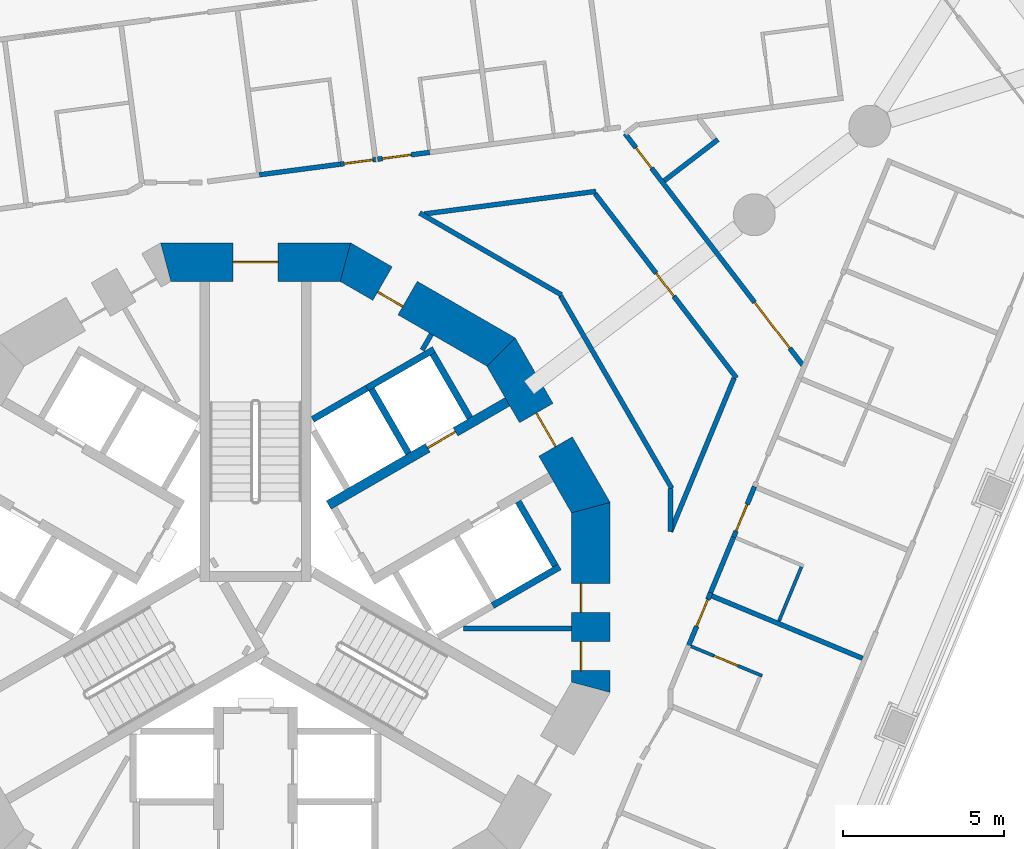
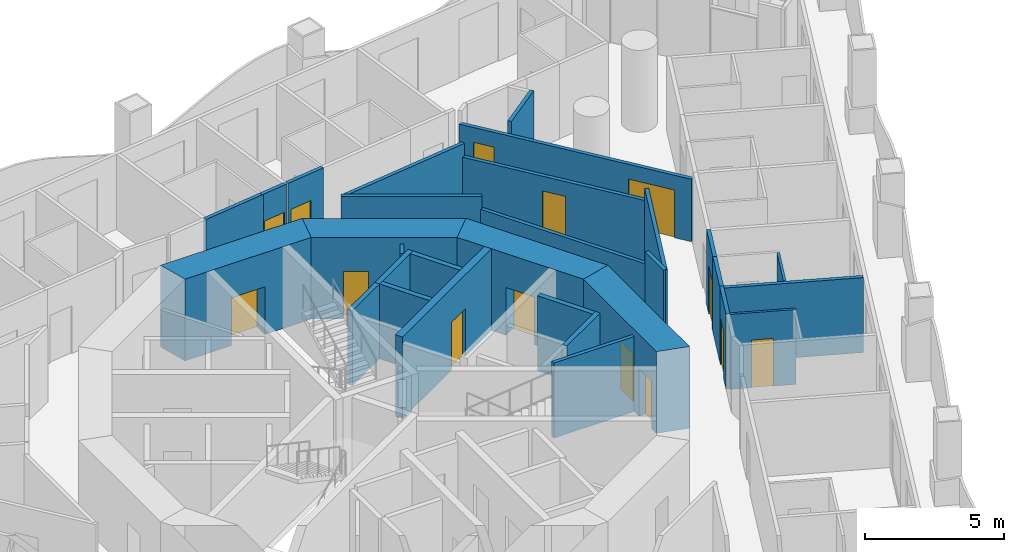
# One storey, part 9 of 19: 30 walls, 14 doors, 14 openings.
"""IFC4 building model written with IfcOpenShell, lengths in metres."""

from ifc_helpers import new_model, si_unit, direction, frame, frame_2d, origin, place, context, subcontext, project, spatial, polyline, rectangle, outline, extrude, material, layer, layer_set, type_object, element, fill, save


model = new_model("IFC4")

# Units and contexts
model_context = context("Model", 3, precision=1e-05, world=origin(), true_north=direction((0.0, 1.0)))
body_context = subcontext(model_context, "Body", "Model", "MODEL_VIEW")
ifc_project = project(units=[si_unit("LENGTHUNIT", "METRE"), si_unit("AREAUNIT", "SQUARE_METRE"), si_unit("VOLUMEUNIT", "CUBIC_METRE"), si_unit("PLANEANGLEUNIT", "RADIAN"), si_unit("MASSUNIT", "GRAM", prefix="KILO")], contexts=[model_context])

# Site, building, storey
site_placement = place(None, origin())
site = spatial("IfcSite", under=ifc_project, at=site_placement, CompositionType="ELEMENT")
building_placement = place(site_placement, origin())
building = spatial("IfcBuilding", under=site, at=building_placement, Name="Trine Commons Tower", CompositionType="ELEMENT")
storey_placement = place(building_placement, frame((0.0, 0.0, 54.0)))
storey = spatial("IfcBuildingStorey", under=building, at=storey_placement, Name="L12", CompositionType="ELEMENT", Elevation=54.0)

# Walls
ifc_material_1 = material(Name="Plasterboard partition on steel studs", Category="steel")
ifc_layer_1 = layer(ifc_material_1, 0.14990234375)
ifc_layer_set_1 = layer_set([ifc_layer_1], Name="Plasterboard partition on steel studs")
wall_type_1 = type_object("IfcWallType", Name="Core room partition 150 mm, EI 60", PredefinedType="PARTITIONING", material=ifc_layer_set_1)
wall_1_placement = place(storey_placement, frame((85.4609375, 70.676025390625, 0.0), z_axis=(0.0, 0.0, 1.0), x_axis=(-0.500042804318, -0.866000689289, 0.0)))
element("IfcWall", 1, at=wall_1_placement, inside=storey, type_object=wall_type_1, Name="Core room partition L12", PredefinedType="PARTITIONING", context=body_context, shape_type="SweptSolid", body=[
    extrude(rectangle(XDim=0.57177734375, YDim=0.14990234375, at=frame_2d((0.285888671875, 0.0))), origin(), (0.0, 0.0, 1.0), 3.300048828125),
])
wall_2_placement = place(storey_placement, frame((89.81201171875, 61.537109375, 0.0), z_axis=(0.0, 0.0, 1.0), x_axis=(-1.0, 0.0, 0.0)))
element("IfcWall", 2, at=wall_2_placement, inside=storey, type_object=wall_type_1, Name="Core room partition L12", PredefinedType="PARTITIONING", context=body_context, shape_type="SweptSolid", body=[
    extrude(rectangle(XDim=3.35107421875, YDim=0.14990234375, at=frame_2d((1.675537109375, 0.0))), origin(), (0.0, 0.0, 1.0), 3.300048828125),
])

# Wall, openings, doors
ifc_material_2 = material(Name="Concrete C80/95", Category="concrete")
ifc_layer_2 = layer(ifc_material_2, 1.199951171875)
ifc_layer_set_2 = layer_set([ifc_layer_2], Name="Concrete C80/95")
wall_type_2 = type_object("IfcWallType", Name="RC shear wall 1200 mm, C80/95", PredefinedType="SHEAR", material=ifc_layer_set_2)
wall_3_placement = place(storey_placement, frame((90.41162109375, 59.549560546875, 0.0), z_axis=(0.0, 0.0, 1.0), x_axis=(0.0, 1.0, 0.0)))
wall_3 = element("IfcWall", 3, at=wall_3_placement, inside=storey, type_object=wall_type_2, Name="Core wall CWB-01 L12", PredefinedType="SHEAR", context=body_context, shape_type="SweptSolid", body=[
    extrude(outline(polyline([(0.0, -0.60009765625), (5.90087890625, -0.60009765625), (5.57958984375, 0.60009765625), (0.321533203125, 0.60009765625), (0.0, -0.60009765625)])), origin(), (0.0, 0.0, 1.0), 3.60009765625),
])
opening_1_placement = place(wall_3_placement, frame((0.675537109375, 0.0, 0.0)))
opening_1 = element("IfcOpeningElement", 4, at=opening_1_placement, cuts=wall_3, Name="Opening K07.18", PredefinedType="OPENING", context=body_context, shape_type="SweptSolid", body=[
    extrude(rectangle(XDim=0.89990234375, YDim=2.10009765625, at=frame_2d((0.449951171875, 1.050048828125))), frame((0.0, 0.60986328125, 0.0), z_axis=(0.0, -1.0, 0.0), x_axis=(1.0, 0.0, 0.0)), (0.0, 0.0, 1.0), 1.219970703125),
])
opening_2_placement = place(wall_3_placement, frame((2.487548828125, 0.0, 0.0)))
opening_2 = element("IfcOpeningElement", 5, at=opening_2_placement, cuts=wall_3, Name="Opening K07.19", PredefinedType="OPENING", context=body_context, shape_type="SweptSolid", body=[
    extrude(rectangle(XDim=0.89990234375, YDim=2.10009765625, at=frame_2d((0.449951171875, 1.050048828125))), frame((0.0, 0.60986328125, 0.0), z_axis=(0.0, -1.0, 0.0), x_axis=(1.0, 0.0, 0.0)), (0.0, 0.0, 1.0), 1.219970703125),
])
ifc_material_3 = material(Name="Steel door leaf, fire-rated", Category="steel")
door_type_1 = type_object("IfcDoorType", Name="Core room door, single leaf 900 x 2100, FD30S", OperationType="SINGLE_SWING_LEFT", PredefinedType="DOOR", material=ifc_material_3)
door_1_placement = place(opening_1_placement, origin())
door_1 = element("IfcDoor", 6, at=door_1_placement, inside=storey, type_object=door_type_1, Name="Door to Parcel store L12", OperationType="SINGLE_SWING_LEFT", OverallHeight=2.10009765625, OverallWidth=0.89990234375, PredefinedType="DOOR", context=body_context, shape_type="SweptSolid", body=[
    extrude(rectangle(XDim=0.89990234375, YDim=2.10009765625, at=frame_2d((0.449951171875, 1.050048828125))), frame((0.0, 0.3251953125, 0.0), z_axis=(0.0, -1.0, 0.0), x_axis=(1.0, 0.0, 0.0)), (0.0, 0.0, 1.0), 0.050048828125),
])
fill(opening_1, door_1)
door_2_placement = place(opening_2_placement, origin())
door_2 = element("IfcDoor", 7, at=door_2_placement, inside=storey, type_object=door_type_1, Name="Door to Print room L12", OperationType="SINGLE_SWING_LEFT", OverallHeight=2.10009765625, OverallWidth=0.89990234375, PredefinedType="DOOR", context=body_context, shape_type="SweptSolid", body=[
    extrude(rectangle(XDim=0.89990234375, YDim=2.10009765625, at=frame_2d((0.449951171875, 1.050048828125))), frame((0.0, 0.3251953125, 0.0), z_axis=(0.0, -1.0, 0.0), x_axis=(1.0, 0.0, 0.0)), (0.0, 0.0, 1.0), 0.050048828125),
])
fill(opening_2, door_2)

# Wall, opening, door
wall_4_placement = place(storey_placement, frame((90.491943359375, 65.150390625, 0.0), z_axis=(0.0, 0.0, 1.0), x_axis=(-0.499979111662, 0.866037463336, 0.0)))
wall_4 = element("IfcWall", 8, at=wall_4_placement, inside=storey, type_object=wall_type_2, Name="Core wall CWB-02 L12", PredefinedType="SHEAR", context=body_context, shape_type="SweptSolid", body=[
    extrude(outline(polyline([(0.0, -0.60009765625), (5.901123046875, -0.60009765625), (5.57958984375, 0.60009765625), (0.321533203125, 0.60009765625), (0.0, -0.60009765625)])), origin(), (0.0, 0.0, 1.0), 3.60009765625),
])
opening_3_placement = place(wall_4_placement, frame((2.3505859375, 0.0, 0.0)))
opening_3 = element("IfcOpeningElement", 9, at=opening_3_placement, cuts=wall_4, Name="Opening K07.04", PredefinedType="OPENING", context=body_context, shape_type="SweptSolid", body=[
    extrude(rectangle(XDim=1.199951171875, YDim=2.10009765625, at=frame_2d((0.60009765625, 1.050048828125))), frame((0.0, 0.60986328125, 0.0), z_axis=(0.0, -1.0, 0.0), x_axis=(1.0, 0.0, 0.0)), (0.0, 0.0, 1.0), 1.219970703125),
])
ifc_material_4 = material(Name="Steel door leaves, fire-rated", Category="steel")
door_type_2 = type_object("IfcDoorType", Name="Lobby door, double leaf 1200 x 2100, FD60", OperationType="DOUBLE_DOOR_SINGLE_SWING", PredefinedType="DOOR", material=ifc_material_4)
door_3_placement = place(opening_3_placement, origin())
door_3 = element("IfcDoor", 10, at=door_3_placement, inside=storey, type_object=door_type_2, Name="Lobby door, Passenger lift lobby A L12", OperationType="DOUBLE_DOOR_SINGLE_SWING", OverallHeight=2.10009765625, OverallWidth=1.199951171875, PredefinedType="DOOR", context=body_context, shape_type="SweptSolid", body=[
    extrude(rectangle(XDim=1.199951171875, YDim=2.10009765625, at=frame_2d((0.60009765625, 1.050048828125))), frame((0.0, 0.02490234375, 0.0), z_axis=(0.0, -1.0, 0.0), x_axis=(1.0, 0.0, 0.0)), (0.0, 0.0, 1.0), 0.050048828125),
])
fill(opening_3, door_3)

wall_5_placement = place(storey_placement, frame((87.760986328125, 70.04150390625, 0.0), z_axis=(0.0, 0.0, 1.0), x_axis=(-0.866037463336, 0.499979111662, 0.0)))
wall_5 = element("IfcWall", 11, at=wall_5_placement, inside=storey, type_object=wall_type_2, Name="Core wall CWB-03 L12", PredefinedType="SHEAR", context=body_context, shape_type="SweptSolid", body=[
    extrude(outline(polyline([(0.0, -0.60009765625), (5.901123046875, -0.60009765625), (5.57958984375, 0.60009765625), (0.321533203125, 0.60009765625), (0.0, -0.60009765625)])), origin(), (0.0, 0.0, 1.0), 3.60009765625),
])
opening_4_placement = place(wall_5_placement, frame((3.509521484375, 0.0, 0.0)))
opening_4 = element("IfcOpeningElement", 12, at=opening_4_placement, cuts=wall_5, Name="Opening K07.11", PredefinedType="OPENING", context=body_context, shape_type="SweptSolid", body=[
    extrude(rectangle(XDim=0.89990234375, YDim=2.10009765625, at=frame_2d((0.449951171875, 1.050048828125))), frame((0.0, 0.60986328125, 0.0), z_axis=(0.0, -1.0, 0.0), x_axis=(1.0, 0.0, 0.0)), (0.0, 0.0, 1.0), 1.219970703125),
])
door_4_placement = place(opening_4_placement, origin())
door_4 = element("IfcDoor", 13, at=door_4_placement, inside=storey, type_object=door_type_1, Name="Door to Accessible WC L12", OperationType="SINGLE_SWING_RIGHT", OverallHeight=2.10009765625, OverallWidth=0.89990234375, PredefinedType="DOOR", context=body_context, shape_type="SweptSolid", body=[
    extrude(rectangle(XDim=0.89990234375, YDim=2.10009765625, at=frame_2d((0.449951171875, 1.050048828125))), frame((0.0, 0.3251953125, 0.0), z_axis=(0.0, -1.0, 0.0), x_axis=(1.0, 0.0, 0.0)), (0.0, 0.0, 1.0), 0.050048828125),
])
fill(opening_4, door_4)

wall_6_placement = place(storey_placement, frame((82.950439453125, 72.91162109375, 0.0), z_axis=(0.0, 0.0, 1.0), x_axis=(-1.0, 0.0, 0.0)))
wall_6 = element("IfcWall", 14, at=wall_6_placement, inside=storey, type_object=wall_type_2, Name="Core wall CWB-04 L12", PredefinedType="SHEAR", context=body_context, shape_type="SweptSolid", body=[
    extrude(outline(polyline([(0.0, -0.60009765625), (5.90087890625, -0.60009765625), (5.57958984375, 0.60009765625), (0.321533203125, 0.60009765625), (0.0, -0.60009765625)])), origin(), (0.0, 0.0, 1.0), 3.60009765625),
])
opening_5_placement = place(wall_6_placement, frame((2.25048828125, 0.0, 0.0)))
opening_5 = element("IfcOpeningElement", 15, at=opening_5_placement, cuts=wall_6, Name="Opening K07.01", PredefinedType="OPENING", context=body_context, shape_type="SweptSolid", body=[
    extrude(rectangle(XDim=1.39990234375, YDim=2.10009765625, at=frame_2d((0.699951171875, 1.050048828125))), frame((0.0, 0.60986328125, 0.0), z_axis=(0.0, -1.0, 0.0), x_axis=(1.0, 0.0, 0.0)), (0.0, 0.0, 1.0), 1.219970703125),
])
door_type_3 = type_object("IfcDoorType", Name="Stair door, double leaf 1400 x 2100, FD90", OperationType="DOUBLE_DOOR_SINGLE_SWING", PredefinedType="DOOR", material=ifc_material_4)
door_5_placement = place(opening_5_placement, origin())
door_5 = element("IfcDoor", 16, at=door_5_placement, inside=storey, type_object=door_type_3, Name="Stair door to Exit stair ST1A L12", OperationType="DOUBLE_DOOR_SINGLE_SWING", OverallHeight=2.10009765625, OverallWidth=1.39990234375, PredefinedType="DOOR", context=body_context, shape_type="SweptSolid", body=[
    extrude(rectangle(XDim=1.39990234375, YDim=2.10009765625, at=frame_2d((0.699951171875, 1.050048828125))), frame((0.0, 0.02490234375, 0.0), z_axis=(0.0, -1.0, 0.0), x_axis=(1.0, 0.0, 0.0)), (0.0, 0.0, 1.0), 0.050048828125),
])
fill(opening_5, door_5)

ifc_layer_3 = layer(ifc_material_2, 0.300048828125)
ifc_layer_set_3 = layer_set([ifc_layer_3], Name="Concrete C80/95")
wall_type_3 = type_object("IfcWallType", Name="RC shear wall 300 mm, C80/95", PredefinedType="SHEAR", material=ifc_layer_set_3)
wall_7_placement = place(storey_placement, frame((82.26904296875, 65.368896484375, 0.0), z_axis=(0.0, 0.0, 1.0), x_axis=(0.866022631842, 0.500004801114, 0.0)))
wall_7 = element("IfcWall", 17, at=wall_7_placement, inside=storey, type_object=wall_type_3, Name="Core cross wall SWA-05 L12", PredefinedType="SHEAR", context=body_context, shape_type="SweptSolid", body=[
    extrude(rectangle(XDim=6.412109375, YDim=0.300048828125, at=frame_2d((3.2060546875, 0.0))), origin(), (0.0, 0.0, 1.0), 3.60009765625),
])
opening_6_placement = place(wall_7_placement, frame((3.55029296875, 0.0, 0.0)))
opening_6 = element("IfcOpeningElement", 18, at=opening_6_placement, cuts=wall_7, Name="Opening LD1", PredefinedType="OPENING", context=body_context, shape_type="SweptSolid", body=[
    extrude(rectangle(XDim=1.0, YDim=2.10009765625, at=frame_2d((0.5, 1.050048828125))), frame((0.0, 0.159912109375, 0.0), z_axis=(0.0, -1.0, 0.0), x_axis=(1.0, 0.0, 0.0)), (0.0, 0.0, 1.0), 0.320068359375),
])
ifc_material_5 = material(Name="Stainless steel sliding door leaves", Category="steel")
door_type_4 = type_object("IfcDoorType", Name="Lift landing door, centre-opening sliding 1000 x 2100, FD90", OperationType="DOUBLE_DOOR_SLIDING", PredefinedType="DOOR", material=ifc_material_5)
door_6_placement = place(opening_6_placement, origin())
door_6 = element("IfcDoor", 19, at=door_6_placement, inside=storey, type_object=door_type_4, Name="Lift landing door LR1 L12", OperationType="DOUBLE_DOOR_SLIDING", OverallHeight=2.10009765625, OverallWidth=1.0, PredefinedType="DOOR", context=body_context, shape_type="SweptSolid", body=[
    extrude(rectangle(XDim=1.0, YDim=2.10009765625, at=frame_2d((0.5, 1.050048828125))), frame((0.0, 0.02490234375, 0.0), z_axis=(0.0, -1.0, 0.0), x_axis=(1.0, 0.0, 0.0)), (0.0, 0.0, 1.0), 0.050048828125),
])
fill(opening_6, door_6)

# Walls
ifc_material_6 = material(Name="Fire-rated gypsum shaft wall system")
ifc_layer_4 = layer(ifc_material_6, 0.199951171875)
ifc_layer_set_4 = layer_set([ifc_layer_4], Name="Fire-rated gypsum shaft wall system")
wall_type_4 = type_object("IfcWallType", Name="Shaft wall 200 mm, EI 120", PredefinedType="PARTITIONING", material=ifc_layer_set_4)
wall_8_placement = place(storey_placement, frame((81.77490234375, 68.028076171875, 0.0), z_axis=(0.0, 0.0, 1.0), x_axis=(0.866052014814, 0.499953905513, 0.0)))
element("IfcWall", 20, at=wall_8_placement, inside=storey, type_object=wall_type_4, Name="Shaft wall L12", PredefinedType="PARTITIONING", context=body_context, shape_type="SweptSolid", body=[
    extrude(rectangle(XDim=1.947998046875, YDim=0.199951171875, at=frame_2d((0.97412109375, 0.0))), origin(), (0.0, 0.0, 1.0), 3.300048828125),
])
wall_9_placement = place(storey_placement, frame((83.4619140625, 69.001953125, 0.0), z_axis=(0.0, 0.0, 1.0), x_axis=(0.866202511239, 0.499693115345, 0.0)))
element("IfcWall", 21, at=wall_9_placement, inside=storey, type_object=wall_type_4, Name="Shaft wall L12", PredefinedType="PARTITIONING", context=body_context, shape_type="SweptSolid", body=[
    extrude(rectangle(XDim=2.4013671875, YDim=0.199951171875, at=frame_2d((1.20068359375, 0.0))), origin(), (0.0, 0.0, 1.0), 3.300048828125),
])
wall_10_placement = place(storey_placement, frame((84.7490234375, 66.97412109375, 0.0), z_axis=(0.0, 0.0, 1.0), x_axis=(-0.500136062276, 0.86594683394, 0.0)))
element("IfcWall", 22, at=wall_10_placement, inside=storey, type_object=wall_type_4, Name="Shaft wall L12", PredefinedType="PARTITIONING", context=body_context, shape_type="SweptSolid", body=[
    extrude(rectangle(XDim=2.299072265625, YDim=0.199951171875, at=frame_2d((1.1494140625, 0.0))), origin(), (0.0, 0.0, 1.0), 3.300048828125),
])
wall_11_placement = place(storey_placement, frame((86.655029296875, 68.073974609375, 0.0), z_axis=(0.0, 0.0, 1.0), x_axis=(-0.500215680983, 0.865900844496, 0.0)))
element("IfcWall", 23, at=wall_11_placement, inside=storey, type_object=wall_type_4, Name="Shaft wall L12", PredefinedType="PARTITIONING", context=body_context, shape_type="SweptSolid", body=[
    extrude(rectangle(XDim=2.29931640625, YDim=0.199951171875, at=frame_2d((1.149658203125, 0.0))), origin(), (0.0, 0.0, 1.0), 3.300048828125),
])
wall_12_placement = place(storey_placement, frame((87.362060546875, 62.248046875, 0.0), z_axis=(0.0, 0.0, 1.0), x_axis=(0.866177122335, 0.499737123639, 0.0)))
element("IfcWall", 24, at=wall_12_placement, inside=storey, type_object=wall_type_4, Name="Shaft wall L12", PredefinedType="PARTITIONING", context=body_context, shape_type="SweptSolid", body=[
    extrude(rectangle(XDim=2.401123046875, YDim=0.199951171875, at=frame_2d((1.20068359375, 0.0))), origin(), (0.0, 0.0, 1.0), 3.300048828125),
])
wall_13_placement = place(storey_placement, frame((88.155029296875, 65.47607421875, 0.0), z_axis=(0.0, 0.0, 1.0), x_axis=(0.500136062276, -0.86594683394, 0.0)))
element("IfcWall", 25, at=wall_13_placement, inside=storey, type_object=wall_type_4, Name="Shaft wall L12", PredefinedType="PARTITIONING", context=body_context, shape_type="SweptSolid", body=[
    extrude(rectangle(XDim=2.299072265625, YDim=0.199951171875, at=frame_2d((1.1494140625, 0.0))), origin(), (0.0, 0.0, 1.0), 3.300048828125),
])
ifc_material_7 = material(Name="Gypsum plasterboard on steel stud", Category="steel")
ifc_layer_5 = layer(ifc_material_7, 0.14990234375)
ifc_layer_set_5 = layer_set([ifc_layer_5], Name="Gypsum plasterboard on steel stud")
wall_type_5 = type_object("IfcWallType", Name="Unit and corridor wall 150 mm, EI 60", PredefinedType="PARTITIONING", material=ifc_layer_set_5)
wall_14_placement = place(storey_placement, frame((80.10595703125, 75.623046875, 0.0), z_axis=(0.0, 0.0, 1.0), x_axis=(0.991448878041, 0.130495678972, 0.0)))
element("IfcWall", 26, at=wall_14_placement, inside=storey, type_object=wall_type_5, Name="Partition 087", PredefinedType="PARTITIONING", context=body_context, shape_type="SweptSolid", body=[
    extrude(rectangle(XDim=2.60791015625, YDim=0.14990234375, at=frame_2d((1.303955078125, 0.0))), origin(), (0.0, 0.0, 1.0), 3.300048828125),
])

# Wall, opening, door
wall_15_placement = place(storey_placement, frame((82.634033203125, 75.9560546875, 0.0), z_axis=(0.0, 0.0, 1.0), x_axis=(0.99141275319, 0.130769846721, 0.0)))
wall_15 = element("IfcWall", 27, at=wall_15_placement, inside=storey, type_object=wall_type_5, Name="Partition 090", PredefinedType="PARTITIONING", context=body_context, shape_type="SweptSolid", body=[
    extrude(rectangle(XDim=1.1015625, YDim=0.14990234375, at=frame_2d((0.55078125, 0.0))), origin(), (0.0, 0.0, 1.0), 3.300048828125),
])
opening_7_placement = place(wall_15_placement, frame((0.117431640625, 0.0, 0.0)))
opening_7 = element("IfcOpeningElement", 28, at=opening_7_placement, cuts=wall_15, Name="Opening D-2A13", PredefinedType="OPENING", context=body_context, shape_type="SweptSolid", body=[
    extrude(rectangle(XDim=0.89990234375, YDim=2.10009765625, at=frame_2d((0.449951171875, 1.050048828125))), frame((0.0, 0.0849609375, 0.0), z_axis=(0.0, -1.0, 0.0), x_axis=(1.0, 0.0, 0.0)), (0.0, 0.0, 1.0), 0.169921875),
])
ifc_material_8 = material(Name="Timber fire door set", Category="wood")
door_type_5 = type_object("IfcDoorType", Name="Bedroom door 900 x 2100, FD30S", OperationType="NOTDEFINED", PredefinedType="DOOR", material=ifc_material_8)
door_7_placement = place(opening_7_placement, origin())
door_7 = element("IfcDoor", 29, at=door_7_placement, inside=storey, type_object=door_type_5, Name="Door D-2A13", OperationType="SINGLE_SWING_RIGHT", OverallHeight=2.10009765625, OverallWidth=0.89990234375, PredefinedType="DOOR", context=body_context, shape_type="SweptSolid", body=[
    extrude(rectangle(XDim=0.89990234375, YDim=2.10009765625, at=frame_2d((0.449951171875, 1.050048828125))), frame((0.0, 0.02490234375, 0.0), z_axis=(0.0, -1.0, 0.0), x_axis=(1.0, 0.0, 0.0)), (0.0, 0.0, 1.0), 0.050048828125),
])
fill(opening_7, door_7)

wall_16_placement = place(storey_placement, frame((83.79248046875, 76.10888671875, 0.0), z_axis=(0.0, 0.0, 1.0), x_axis=(0.991466035582, 0.130365257213, 0.0)))
wall_16 = element("IfcWall", 30, at=wall_16_placement, inside=storey, type_object=wall_type_5, Name="Partition 093", PredefinedType="PARTITIONING", context=body_context, shape_type="SweptSolid", body=[
    extrude(rectangle(XDim=1.62744140625, YDim=0.14990234375, at=frame_2d((0.813720703125, 0.0))), origin(), (0.0, 0.0, 1.0), 3.300048828125),
])
opening_8_placement = place(wall_16_placement, frame((0.14990234375, 0.0, 0.0)))
opening_8 = element("IfcOpeningElement", 31, at=opening_8_placement, cuts=wall_16, Name="Opening D-2A14", PredefinedType="OPENING", context=body_context, shape_type="SweptSolid", body=[
    extrude(rectangle(XDim=0.89990234375, YDim=2.10009765625, at=frame_2d((0.449951171875, 1.050048828125))), frame((0.0, 0.0849609375, 0.0), z_axis=(0.0, -1.0, 0.0), x_axis=(1.0, 0.0, 0.0)), (0.0, 0.0, 1.0), 0.169921875),
])
door_8_placement = place(opening_8_placement, origin())
door_8 = element("IfcDoor", 32, at=door_8_placement, inside=storey, type_object=door_type_5, Name="Door D-2A14", OperationType="SINGLE_SWING_LEFT", OverallHeight=2.10009765625, OverallWidth=0.89990234375, PredefinedType="DOOR", context=body_context, shape_type="SweptSolid", body=[
    extrude(rectangle(XDim=0.89990234375, YDim=2.10009765625, at=frame_2d((0.449951171875, 1.050048828125))), frame((0.0, 0.02490234375, 0.0), z_axis=(0.0, -1.0, 0.0), x_axis=(1.0, 0.0, 0.0)), (0.0, 0.0, 1.0), 0.050048828125),
])
fill(opening_8, door_8)

# Walls
wall_17_placement = place(storey_placement, frame((85.095947265625, 74.4384765625, 0.0), z_axis=(0.0, 0.0, 1.0), x_axis=(0.866036051865, -0.49998155653, 0.0)))
element("IfcWall", 33, at=wall_17_placement, inside=storey, type_object=wall_type_5, Name="Partition 102", PredefinedType="PARTITIONING", context=body_context, shape_type="SweptSolid", body=[
    extrude(rectangle(XDim=5.084228515625, YDim=0.14990234375, at=frame_2d((2.5419921875, 0.0))), origin(), (0.0, 0.0, 1.0), 3.300048828125),
])
wall_18_placement = place(storey_placement, frame((85.23828125, 74.40869140625, 0.0), z_axis=(0.0, 0.0, 1.0), x_axis=(0.991440693098, 0.130557849512, 0.0)))
element("IfcWall", 34, at=wall_18_placement, inside=storey, type_object=wall_type_5, Name="Partition 104", PredefinedType="PARTITIONING", context=body_context, shape_type="SweptSolid", body=[
    extrude(rectangle(XDim=5.378173828125, YDim=0.14990234375, at=frame_2d((2.68896484375, 0.0))), origin(), (0.0, 0.0, 1.0), 3.300048828125),
])
wall_19_placement = place(storey_placement, frame((89.471435546875, 71.868896484375, 0.0), z_axis=(0.0, 0.0, 1.0), x_axis=(0.50000193825, -0.866024284732, 0.0)))
element("IfcWall", 35, at=wall_19_placement, inside=storey, type_object=wall_type_5, Name="Partition 122", PredefinedType="PARTITIONING", context=body_context, shape_type="SweptSolid", body=[
    extrude(rectangle(XDim=6.90625, YDim=0.14990234375, at=frame_2d((3.453125, 0.0))), origin(), (0.0, 0.0, 1.0), 2.75),
])

# Wall, opening, door
wall_20_placement = place(storey_placement, frame((90.541748046875, 75.04150390625, 0.0), z_axis=(0.0, 0.0, 1.0), x_axis=(0.608724186816, -0.793381915842, 0.0)))
wall_20 = element("IfcWall", 36, at=wall_20_placement, inside=storey, type_object=wall_type_5, Name="Partition 125", PredefinedType="PARTITIONING", context=body_context, shape_type="SweptSolid", body=[
    extrude(rectangle(XDim=7.21484375, YDim=0.14990234375, at=frame_2d((3.607421875, 0.0))), origin(), (0.0, 0.0, 1.0), 2.75),
])
opening_9_placement = place(wall_20_placement, frame((3.119873046875, 0.0, 0.0)))
opening_9 = element("IfcOpeningElement", 37, at=opening_9_placement, cuts=wall_20, Name="Opening D-2A37", PredefinedType="OPENING", context=body_context, shape_type="SweptSolid", body=[
    extrude(rectangle(XDim=0.89990234375, YDim=2.10009765625, at=frame_2d((0.449951171875, 1.050048828125))), frame((0.0, 0.0849609375, 0.0), z_axis=(0.0, -1.0, 0.0), x_axis=(1.0, 0.0, 0.0)), (0.0, 0.0, 1.0), 0.169921875),
])
door_type_6 = type_object("IfcDoorType", Name="Service door 900 x 2100, FD30S", OperationType="NOTDEFINED", PredefinedType="DOOR", material=ifc_material_8)
door_9_placement = place(opening_9_placement, frame((0.89990234375, 0.0, 0.0), z_axis=(0.0, 0.0, 1.0), x_axis=(-1.0, 0.0, 0.0)))
door_9 = element("IfcDoor", 38, at=door_9_placement, inside=storey, type_object=door_type_6, Name="Door D-2A37", OperationType="SINGLE_SWING_RIGHT", OverallHeight=2.10009765625, OverallWidth=0.89990234375, PredefinedType="DOOR", context=body_context, shape_type="SweptSolid", body=[
    extrude(rectangle(XDim=0.89990234375, YDim=2.10009765625, at=frame_2d((0.449951171875, 1.050048828125))), frame((0.0, 0.02490234375, 0.0), z_axis=(0.0, -1.0, 0.0), x_axis=(1.0, 0.0, 0.0)), (0.0, 0.0, 1.0), 0.050048828125),
])
fill(opening_9, door_9)

# Wall, openings, doors
wall_21_placement = place(storey_placement, frame((91.47412109375, 76.906005859375, 0.0), z_axis=(0.0, 0.0, 1.0), x_axis=(0.608691769464, -0.793406787081, 0.0)))
wall_21 = element("IfcWall", 39, at=wall_21_placement, inside=storey, type_object=wall_type_5, Name="Partition 129", PredefinedType="PARTITIONING", context=body_context, shape_type="SweptSolid", body=[
    extrude(rectangle(XDim=9.05908203125, YDim=0.14990234375, at=frame_2d((4.529541015625, 0.0))), origin(), (0.0, 0.0, 1.0), 2.75),
])
opening_10_placement = place(wall_21_placement, frame((6.606201171875, 0.0, 0.0)))
opening_10 = element("IfcOpeningElement", 40, at=opening_10_placement, cuts=wall_21, Name="Opening D-2A01", PredefinedType="OPENING", context=body_context, shape_type="SweptSolid", body=[
    extrude(rectangle(XDim=1.800048828125, YDim=2.10009765625, at=frame_2d((0.89990234375, 1.050048828125))), frame((0.0, 0.0849609375, 0.0), z_axis=(0.0, -1.0, 0.0), x_axis=(1.0, 0.0, 0.0)), (0.0, 0.0, 1.0), 0.169921875),
])
opening_11_placement = place(wall_21_placement, frame((0.553955078125, 0.0, 0.0)))
opening_11 = element("IfcOpeningElement", 41, at=opening_11_placement, cuts=wall_21, Name="Opening D-2A04", PredefinedType="OPENING", context=body_context, shape_type="SweptSolid", body=[
    extrude(rectangle(XDim=0.800048828125, YDim=2.10009765625, at=frame_2d((0.39990234375, 1.050048828125))), frame((0.0, 0.0849609375, 0.0), z_axis=(0.0, -1.0, 0.0), x_axis=(1.0, 0.0, 0.0)), (0.0, 0.0, 1.0), 0.169921875),
])
door_type_7 = type_object("IfcDoorType", Name="Cluster entrance door 1800 x 2100, double leaf, FD30S", OperationType="DOUBLE_DOOR_DOUBLE_SWING", PredefinedType="DOOR", material=ifc_material_8)
door_10_placement = place(opening_10_placement, origin())
door_10 = element("IfcDoor", 42, at=door_10_placement, inside=storey, type_object=door_type_7, Name="Door D-2A01", OperationType="DOUBLE_DOOR_DOUBLE_SWING", OverallHeight=2.10009765625, OverallWidth=1.800048828125, PredefinedType="DOOR", context=body_context, shape_type="SweptSolid", body=[
    extrude(rectangle(XDim=1.800048828125, YDim=2.10009765625, at=frame_2d((0.89990234375, 1.050048828125))), frame((0.0, 0.02490234375, 0.0), z_axis=(0.0, -1.0, 0.0), x_axis=(1.0, 0.0, 0.0)), (0.0, 0.0, 1.0), 0.050048828125),
])
fill(opening_10, door_10)
ifc_material_9 = material(Name="Painted timber", Category="wood")
door_type_8 = type_object("IfcDoorType", Name="Toilet door 800 x 2100, NOT RATED", OperationType="NOTDEFINED", PredefinedType="DOOR", material=ifc_material_9)
door_11_placement = place(opening_11_placement, origin())
door_11 = element("IfcDoor", 43, at=door_11_placement, inside=storey, type_object=door_type_8, Name="Door D-2A04", OperationType="SINGLE_SWING_LEFT", OverallHeight=2.10009765625, OverallWidth=0.800048828125, PredefinedType="DOOR", context=body_context, shape_type="SweptSolid", body=[
    extrude(rectangle(XDim=0.800048828125, YDim=2.10009765625, at=frame_2d((0.39990234375, 1.050048828125))), frame((0.0, 0.02490234375, 0.0), z_axis=(0.0, -1.0, 0.0), x_axis=(1.0, 0.0, 0.0)), (0.0, 0.0, 1.0), 0.050048828125),
])
fill(opening_11, door_11)

# Walls
wall_22_placement = place(storey_placement, frame((92.6923828125, 75.440673828125, 0.0), z_axis=(0.0, 0.0, 1.0), x_axis=(0.793198338244, 0.608963378379, 0.0)))
element("IfcWall", 44, at=wall_22_placement, inside=storey, type_object=wall_type_5, Name="Partition 133", PredefinedType="PARTITIONING", context=body_context, shape_type="SweptSolid", body=[
    extrude(rectangle(XDim=2.100341796875, YDim=0.14990234375, at=frame_2d((1.05029296875, 0.0))), origin(), (0.0, 0.0, 1.0), 3.300048828125),
])
wall_23_placement = place(storey_placement, frame((92.886962890625, 64.5419921875, 0.0), z_axis=(0.0, 0.0, 1.0), x_axis=(0.0, 1.0, 0.0)))
element("IfcWall", 45, at=wall_23_placement, inside=storey, type_object=wall_type_5, Name="Partition 137", PredefinedType="PARTITIONING", context=body_context, shape_type="SweptSolid", body=[
    extrude(rectangle(XDim=1.3359375, YDim=0.14990234375, at=frame_2d((0.66796875, 0.0))), origin(), (0.0, 0.0, 1.0), 3.300048828125),
])
wall_24_placement = place(storey_placement, frame((92.886962890625, 64.5458984375, 0.0), z_axis=(0.0, 0.0, 1.0), x_axis=(0.382690656651, 0.923876540081, 0.0)))
element("IfcWall", 46, at=wall_24_placement, inside=storey, type_object=wall_type_5, Name="Partition 138", PredefinedType="PARTITIONING", context=body_context, shape_type="SweptSolid", body=[
    extrude(rectangle(XDim=5.154052734375, YDim=0.14990234375, at=frame_2d((2.5771484375, 0.0))), origin(), (0.0, 0.0, 1.0), 3.300048828125),
])

# Wall, opening, door
wall_25_placement = place(storey_placement, frame((93.449951171875, 61.006103515625, 0.0), z_axis=(0.0, 0.0, 1.0), x_axis=(0.382917833313, 0.923782405619, 0.0)))
wall_25 = element("IfcWall", 47, at=wall_25_placement, inside=storey, type_object=wall_type_5, Name="Partition 139", PredefinedType="PARTITIONING", context=body_context, shape_type="SweptSolid", body=[
    extrude(rectangle(XDim=1.777587890625, YDim=0.14990234375, at=frame_2d((0.888671875, 0.0))), origin(), (0.0, 0.0, 1.0), 3.300048828125),
])
opening_12_placement = place(wall_25_placement, frame((0.648193359375, 0.0, 0.0)))
opening_12 = element("IfcOpeningElement", 48, at=opening_12_placement, cuts=wall_25, Name="Opening D-2A21", PredefinedType="OPENING", context=body_context, shape_type="SweptSolid", body=[
    extrude(rectangle(XDim=0.89990234375, YDim=2.10009765625, at=frame_2d((0.449951171875, 1.050048828125))), frame((0.0, 0.0849609375, 0.0), z_axis=(0.0, -1.0, 0.0), x_axis=(1.0, 0.0, 0.0)), (0.0, 0.0, 1.0), 0.169921875),
])
door_12_placement = place(opening_12_placement, frame((0.89990234375, 0.0, 0.0), z_axis=(0.0, 0.0, 1.0), x_axis=(-1.0, 0.0, 0.0)))
door_12 = element("IfcDoor", 49, at=door_12_placement, inside=storey, type_object=door_type_5, Name="Door D-2A21", OperationType="SINGLE_SWING_LEFT", OverallHeight=2.10009765625, OverallWidth=0.89990234375, PredefinedType="DOOR", context=body_context, shape_type="SweptSolid", body=[
    extrude(rectangle(XDim=0.89990234375, YDim=2.10009765625, at=frame_2d((0.449951171875, 1.050048828125))), frame((0.0, 0.02490234375, 0.0), z_axis=(0.0, -1.0, 0.0), x_axis=(1.0, 0.0, 0.0)), (0.0, 0.0, 1.0), 0.050048828125),
])
fill(opening_12, door_12)

# Walls
wall_26_placement = place(storey_placement, frame((94.097900390625, 62.571044921875, 0.0), z_axis=(0.0, 0.0, 1.0), x_axis=(0.382863290068, 0.923805012499, 0.0)))
element("IfcWall", 50, at=wall_26_placement, inside=storey, type_object=wall_type_5, Name="Partition 143", PredefinedType="PARTITIONING", context=body_context, shape_type="SweptSolid", body=[
    extrude(rectangle(XDim=2.00927734375, YDim=0.14990234375, at=frame_2d((1.004638671875, 0.0))), origin(), (0.0, 0.0, 1.0), 3.300048828125),
])
wall_27_placement = place(storey_placement, frame((94.169189453125, 62.54638671875, 0.0), z_axis=(0.0, 0.0, 1.0), x_axis=(0.923879340067, -0.382683896966, 0.0)))
element("IfcWall", 51, at=wall_27_placement, inside=storey, type_object=wall_type_5, Name="Partition 144", PredefinedType="PARTITIONING", context=body_context, shape_type="SweptSolid", body=[
    extrude(rectangle(XDim=5.064208984375, YDim=0.14990234375, at=frame_2d((2.5322265625, 0.0))), origin(), (0.0, 0.0, 1.0), 3.300048828125),
])

# Wall, opening, door
wall_28_placement = place(storey_placement, frame((94.844970703125, 64.373046875, 0.0), z_axis=(0.0, 0.0, 1.0), x_axis=(0.382668597728, 0.92388567708, 0.0)))
wall_28 = element("IfcWall", 52, at=wall_28_placement, inside=storey, type_object=wall_type_5, Name="Partition 146", PredefinedType="PARTITIONING", context=body_context, shape_type="SweptSolid", body=[
    extrude(rectangle(XDim=1.701416015625, YDim=0.14990234375, at=frame_2d((0.8505859375, 0.0))), origin(), (0.0, 0.0, 1.0), 3.300048828125),
])
opening_13_placement = place(wall_28_placement, frame((0.203369140625, 0.0, 0.0)))
opening_13 = element("IfcOpeningElement", 53, at=opening_13_placement, cuts=wall_28, Name="Opening D-2A20", PredefinedType="OPENING", context=body_context, shape_type="SweptSolid", body=[
    extrude(rectangle(XDim=0.89990234375, YDim=2.10009765625, at=frame_2d((0.449951171875, 1.050048828125))), frame((0.0, 0.0849609375, 0.0), z_axis=(0.0, -1.0, 0.0), x_axis=(1.0, 0.0, 0.0)), (0.0, 0.0, 1.0), 0.169921875),
])
door_13_placement = place(opening_13_placement, frame((0.89990234375, 0.0, 0.0), z_axis=(0.0, 0.0, 1.0), x_axis=(-1.0, 0.0, 0.0)))
door_13 = element("IfcDoor", 54, at=door_13_placement, inside=storey, type_object=door_type_5, Name="Door D-2A20", OperationType="SINGLE_SWING_RIGHT", OverallHeight=2.10009765625, OverallWidth=0.89990234375, PredefinedType="DOOR", context=body_context, shape_type="SweptSolid", body=[
    extrude(rectangle(XDim=0.89990234375, YDim=2.10009765625, at=frame_2d((0.449951171875, 1.050048828125))), frame((0.0, 0.02490234375, 0.0), z_axis=(0.0, -1.0, 0.0), x_axis=(1.0, 0.0, 0.0)), (0.0, 0.0, 1.0), 0.050048828125),
])
fill(opening_13, door_13)

ifc_layer_6 = layer(ifc_material_7, 0.10009765625)
ifc_layer_set_6 = layer_set([ifc_layer_6], Name="Gypsum plasterboard on steel stud")
wall_type_6 = type_object("IfcWallType", Name="Unit partition 100 mm, no rating", PredefinedType="PARTITIONING", material=ifc_layer_set_6)
wall_29_placement = place(storey_placement, frame((93.521240234375, 60.981201171875, 0.0), z_axis=(0.0, 0.0, 1.0), x_axis=(0.9238961731, -0.38264325596, 0.0)))
wall_29 = element("IfcWall", 55, at=wall_29_placement, inside=storey, type_object=wall_type_6, Name="Partition 140", PredefinedType="PARTITIONING", context=body_context, shape_type="SweptSolid", body=[
    extrude(rectangle(XDim=2.39208984375, YDim=0.10009765625, at=frame_2d((1.196044921875, 0.0))), origin(), (0.0, 0.0, 1.0), 3.300048828125),
])
opening_14_placement = place(wall_29_placement, frame((0.77099609375, 0.0, 0.0)))
opening_14 = element("IfcOpeningElement", 56, at=opening_14_placement, cuts=wall_29, Name="Opening D-2A53", PredefinedType="OPENING", context=body_context, shape_type="SweptSolid", body=[
    extrude(rectangle(XDim=0.800048828125, YDim=2.10009765625, at=frame_2d((0.39990234375, 1.050048828125))), frame((0.0, 0.06005859375, 0.0), z_axis=(0.0, -1.0, 0.0), x_axis=(1.0, 0.0, 0.0)), (0.0, 0.0, 1.0), 0.1201171875),
])
door_type_9 = type_object("IfcDoorType", Name="Internal door 800 x 2100, NOT RATED", OperationType="NOTDEFINED", PredefinedType="DOOR", material=ifc_material_9)
door_14_placement = place(opening_14_placement, origin())
door_14 = element("IfcDoor", 57, at=door_14_placement, inside=storey, type_object=door_type_9, Name="Door D-2A53", OperationType="SINGLE_SWING_LEFT", OverallHeight=2.10009765625, OverallWidth=0.800048828125, PredefinedType="DOOR", context=body_context, shape_type="SweptSolid", body=[
    extrude(rectangle(XDim=0.800048828125, YDim=2.10009765625, at=frame_2d((0.39990234375, 1.050048828125))), frame((0.0, 0.02490234375, 0.0), z_axis=(0.0, -1.0, 0.0), x_axis=(1.0, 0.0, 0.0)), (0.0, 0.0, 1.0), 0.050048828125),
])
fill(opening_14, door_14)

# Wall
wall_30_placement = place(storey_placement, frame((96.253662109375, 61.764404296875, 0.0), z_axis=(0.0, 0.0, 1.0), x_axis=(0.382761541363, 0.923847174836, 0.0)))
element("IfcWall", 58, at=wall_30_placement, inside=storey, type_object=wall_type_6, Name="Partition 155", PredefinedType="PARTITIONING", context=body_context, shape_type="SweptSolid", body=[
    extrude(rectangle(XDim=1.82421875, YDim=0.10009765625, at=frame_2d((0.912109375, 0.0))), origin(), (0.0, 0.0, 1.0), 3.300048828125),
])

save(model, "model.ifc")
